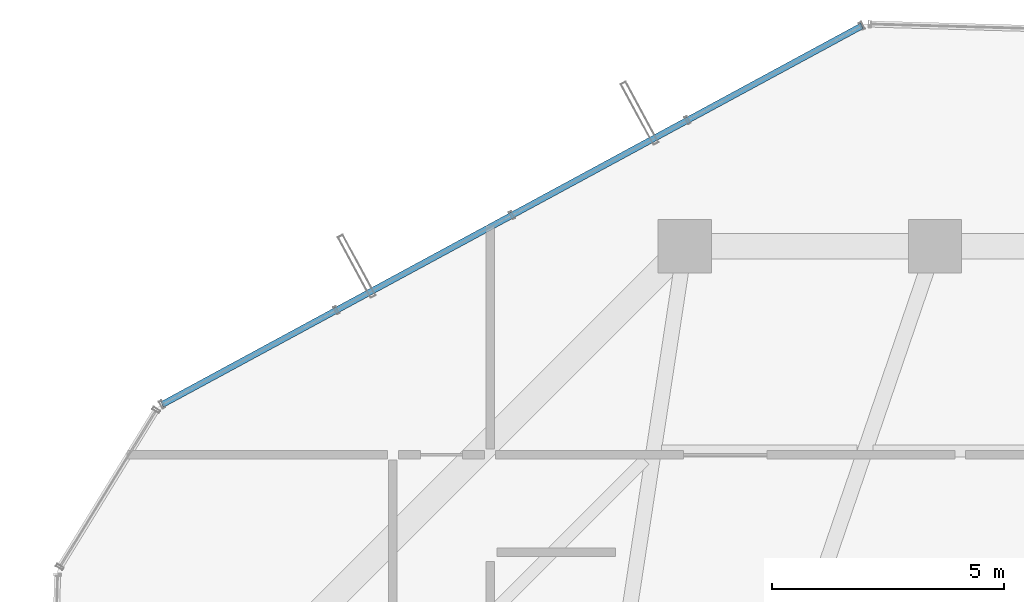
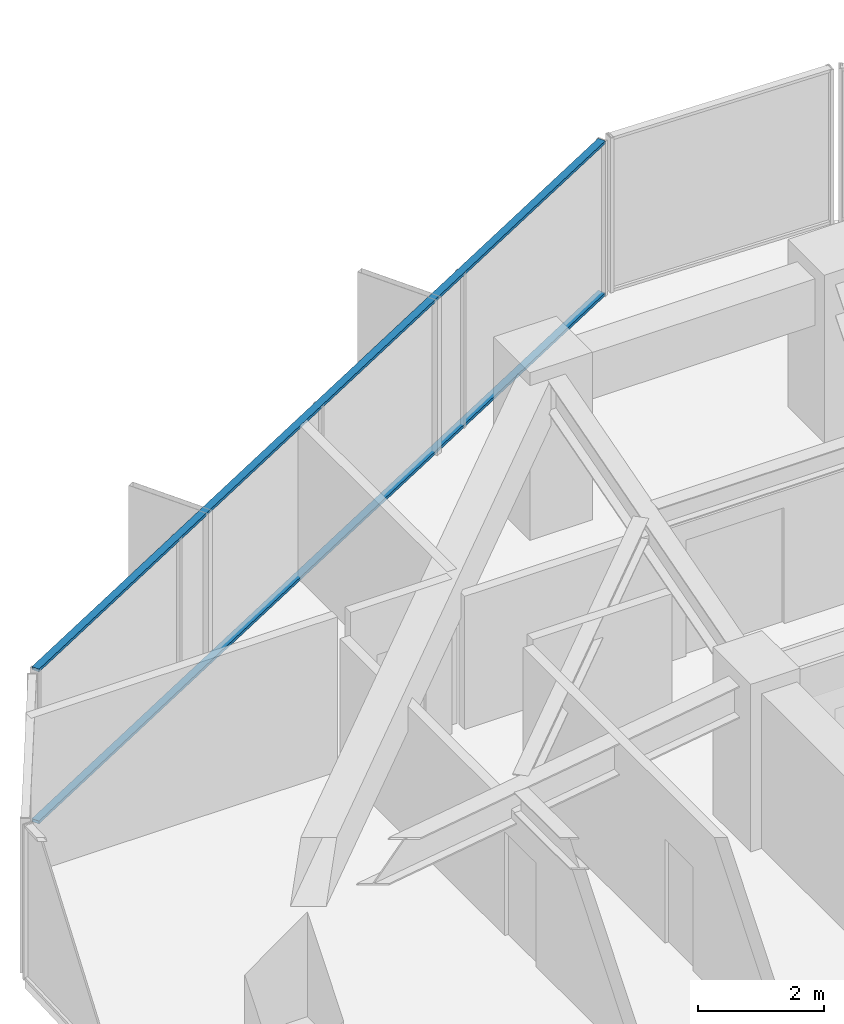
# One storey, part 18 of 30: 2 members, 1 element without a shape of its own.
"""IFC4 building model written with IfcOpenShell, lengths in metres."""

from ifc_helpers import new_model, si_unit, direction, frame, origin, origin_2d, place, context, subcontext, project, spatial, hollow_rectangle, extrude, source, transform, mapped, material, layer, layer_set, material_profile, profile_set, type_object, element, aggregate, save


model = new_model("IFC4")

# Units and contexts
model_context = context("Model", 3, precision=1e-05, world=origin(), true_north=direction((0.0, 1.0)))
body_context = subcontext(model_context, "Body", "Model", "MODEL_VIEW")
ifc_project = project(units=[si_unit("LENGTHUNIT", "METRE"), si_unit("AREAUNIT", "SQUARE_METRE"), si_unit("VOLUMEUNIT", "CUBIC_METRE"), si_unit("PLANEANGLEUNIT", "RADIAN"), si_unit("MASSUNIT", "GRAM", prefix="KILO")], contexts=[model_context])

# Site, building, storey
site_placement = place(None, origin())
site = spatial("IfcSite", under=ifc_project, at=site_placement, CompositionType="ELEMENT")
building_placement = place(site_placement, origin())
building = spatial("IfcBuilding", under=site, at=building_placement, Name="Veraguas Prism Commons", CompositionType="ELEMENT")
storey_placement = place(building_placement, frame((0.0, 0.0, 123.0)))
storey = spatial("IfcBuildingStorey", under=building, at=storey_placement, Name="L34", CompositionType="ELEMENT", Elevation=123.0)

# Curtain wall, members
ifc_material = material(Name="Anodised aluminium EN AW-6063 T6", Category="aluminium")
ifc_layer = layer(ifc_material, 0.169921875, Name="Unitised Flush Curtain Wall Zone 2", Category="aluminium")
ifc_layer_set = layer_set([ifc_layer], Name="Anodised aluminium EN AW-6063 T6")
curtain_wall_type = type_object("IfcCurtainWallType", Name="Unitised Flush Curtain Wall Zone 2", PredefinedType="NOTDEFINED", material=ifc_layer_set)
curtain_wall_placement = place(storey_placement, origin())
curtain_wall = element("IfcCurtainWall", 1, at=curtain_wall_placement, inside=storey, type_object=curtain_wall_type, Name="Tower Facade Curtain Wall L34-F2", PredefinedType="NOTDEFINED")
ifc_material_profile = material_profile(ifc_material, hollow_rectangle(XDim=0.054931640625, YDim=0.135009765625, WallThickness=0.0029296875, at=origin_2d()), Name="AL55X135X3")
ifc_profile_set = profile_set([ifc_material_profile], Name="Anodised aluminium EN AW-6063 T6")
member_type = type_object("IfcMemberType", Name="Curtain Wall Transom Standard AL 55x135x3", PredefinedType="USERDEFINED", material=ifc_profile_set)
shared_shape = source(origin(), body_context, "Body", "SweptSolid", [
    extrude(hollow_rectangle(XDim=0.054931640625, YDim=0.135009765625, WallThickness=0.0029296875, at=origin_2d()), origin(), (0.0, 0.0, 1.0), 17.17431640625),
])
member_1_placement = place(storey_placement, frame((22.422607421875, 44.95751953125, 0.027587890625), z_axis=(-0.879481410811, -0.475933239056, 0.0), x_axis=(0.0, 0.0, 1.0)))
member_1 = element("IfcMember", 2, at=member_1_placement, type_object=member_type, Name="CW-Z2 Transom 1", ObjectType="TRANSOM", PredefinedType="USERDEFINED", context=body_context, shape_type="MappedRepresentation", body=[
    mapped(shared_shape, transform((0.0, 0.0, 0.0), scale=1.0)),
])
member_2_placement = place(storey_placement, frame((22.422607421875, 44.95751953125, 2.972412109375), z_axis=(-0.879481410811, -0.475933239056, 0.0), x_axis=(0.0, 0.0, 1.0)))
member_2 = element("IfcMember", 3, at=member_2_placement, type_object=member_type, Name="CW-Z2 Transom 2", ObjectType="TRANSOM", PredefinedType="USERDEFINED", context=body_context, shape_type="MappedRepresentation", body=[
    mapped(shared_shape, transform((0.0, 0.0, 0.0), scale=1.0)),
])
aggregate(curtain_wall, [member_1, member_2])

save(model, "model.ifc")
